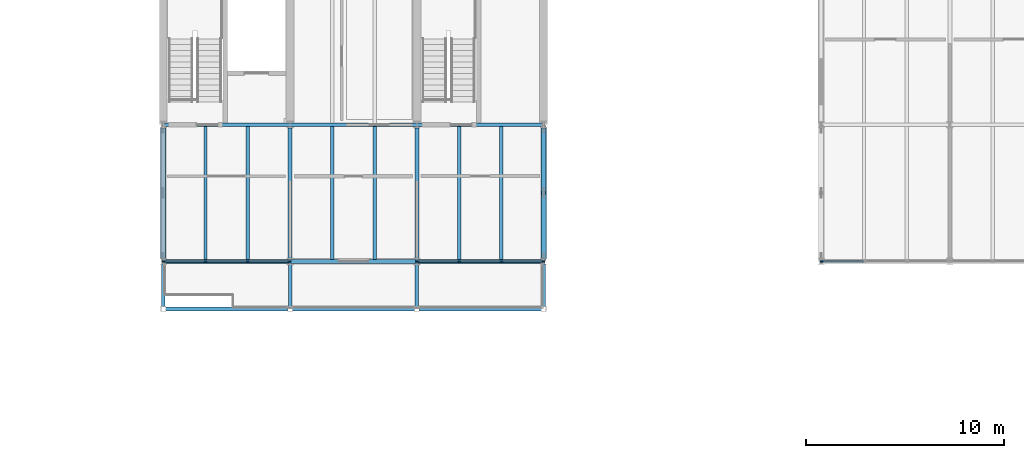
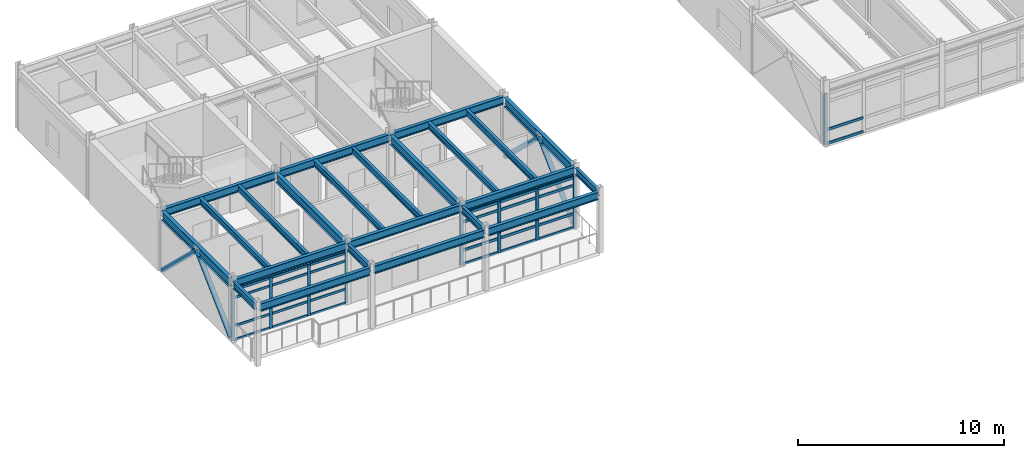
# One storey, part 17 of 49: 39 members, 23 beams, 3 elements without a shape of their own.
"""IFC4 building model written with IfcOpenShell, lengths in metres."""

from ifc_helpers import new_model, si_unit, direction, frame, origin, origin_2d, place, context, subcontext, project, spatial, rectangle, hollow_circle, i_section, extrude, material, layer, layer_set, material_profile, profile_set, type_object, element, aggregate, save


model = new_model("IFC4")

# Units and contexts
model_context = context("Model", 3, precision=1e-05, world=origin(), true_north=direction((0.0, 1.0)))
body_context = subcontext(model_context, "Body", "Model", "MODEL_VIEW")
ifc_project = project(units=[si_unit("LENGTHUNIT", "METRE"), si_unit("AREAUNIT", "SQUARE_METRE"), si_unit("VOLUMEUNIT", "CUBIC_METRE"), si_unit("PLANEANGLEUNIT", "RADIAN"), si_unit("MASSUNIT", "GRAM", prefix="KILO")], contexts=[model_context])

# Site, building, storey
site_placement = place(None, origin())
site = spatial("IfcSite", under=ifc_project, at=site_placement, CompositionType="ELEMENT")
building_placement = place(site_placement, origin())
building = spatial("IfcBuilding", under=site, at=building_placement, Name="Trelmorton Wharf Fire Station", CompositionType="ELEMENT")
storey_placement = place(building_placement, frame((0.0, 0.0, 9.60009765625)))
storey = spatial("IfcBuildingStorey", under=building, at=storey_placement, Name="L02", CompositionType="ELEMENT", Elevation=9.60009765625)

# Beams
ifc_material_1 = material(Name="Steel Grade 350", Category="steel")
ifc_material_profile_1 = material_profile(ifc_material_1, i_section(OverallWidth=0.177978515625, OverallDepth=0.406005859375, WebThickness=0.0078125, FlangeThickness=0.0126953125, FilletRadius=0.011474609375, at=origin_2d()), Name="410UB59.7")
ifc_profile_set_1 = profile_set([ifc_material_profile_1], Name="Steel Grade 350")
beam_type_1 = type_object("IfcBeamType", Name="BM_410UB60", PredefinedType="BEAM", material=ifc_profile_set_1)
beam_1_placement = place(storey_placement, frame((70.800048828125, 58.02099609375, 3.427001953125), z_axis=(0.0, 1.0, 0.0), x_axis=(-1.0, 0.0, 0.0)))
element("IfcBeam", 1, at=beam_1_placement, inside=storey, type_object=beam_type_1, Name="BM-L02-0793", PredefinedType="BEAM", context=body_context, shape_type="SweptSolid", body=[
    extrude(i_section(OverallWidth=0.177978515625, OverallDepth=0.406005859375, WebThickness=0.0078125, FlangeThickness=0.0126953125, FilletRadius=0.011474609375, at=origin_2d()), origin(), (0.0, 0.0, 1.0), 2.12548828125),
])
for number, where, z_axis, x_axis, name in (
    (2, (77.199951171875, 58.02099609375, 3.427001953125), (0.0, 1.0, 0.0), (-1.0, 0.0, 0.0), "BM-L02-0798"),
    (3, (83.60009765625, 58.02099609375, 3.427001953125), (0.0, 1.0, 0.0), (-1.0, 0.0, 0.0), "BM-L02-0805"),
):
    element("IfcBeam", number, at=place(storey_placement, frame(where, z_axis=z_axis, x_axis=x_axis)), inside=storey, type_object=beam_type_1, Name=name, PredefinedType="BEAM", context=body_context, shape_type="SweptSolid", body=[
        extrude(i_section(OverallWidth=0.177978515625, OverallDepth=0.406005859375, WebThickness=0.0078125, FlangeThickness=0.0126953125, FilletRadius=0.011474609375, at=origin_2d()), origin(), (0.0, 0.0, 1.0), 2.12255859375),
    ])
beam_2_placement = place(storey_placement, frame((90.0, 58.02099609375, 3.427001953125), z_axis=(0.0, 1.0, 0.0), x_axis=(-1.0, 0.0, 0.0)))
element("IfcBeam", 4, at=beam_2_placement, inside=storey, type_object=beam_type_1, Name="BM-L02-0809", PredefinedType="BEAM", context=body_context, shape_type="SweptSolid", body=[
    extrude(i_section(OverallWidth=0.177978515625, OverallDepth=0.406005859375, WebThickness=0.0078125, FlangeThickness=0.0126953125, FilletRadius=0.011474609375, at=origin_2d()), origin(), (0.0, 0.0, 1.0), 2.12548828125),
])
ifc_material_profile_2 = material_profile(ifc_material_1, i_section(OverallWidth=0.19091796875, OverallDepth=0.4599609375, WebThickness=0.010009765625, FlangeThickness=0.01611328125, FilletRadius=0.011474609375, at=origin_2d()), Name="460UB82.1")
ifc_profile_set_2 = profile_set([ifc_material_profile_2], Name="Steel Grade 350")
beam_type_2 = type_object("IfcBeamType", Name="BM_460UB82", PredefinedType="BEAM", material=ifc_profile_set_2)
beam_3_placement = place(storey_placement, frame((70.804931640625, 67.199951171875, 3.39990234375), z_axis=(1.0, 0.0, 0.0), x_axis=(0.0, 1.0, 0.0)))
element("IfcBeam", 5, at=beam_3_placement, inside=storey, type_object=beam_type_2, Name="BM-L02-0746", PredefinedType="BEAM", context=body_context, shape_type="SweptSolid", body=[
    extrude(i_section(OverallWidth=0.19091796875, OverallDepth=0.4599609375, WebThickness=0.010009765625, FlangeThickness=0.01611328125, FilletRadius=0.011474609375, at=origin_2d()), origin(), (0.0, 0.0, 1.0), 6.39013671875),
])
beam_4_placement = place(storey_placement, frame((77.204833984375, 67.199951171875, 3.39990234375), z_axis=(1.0, 0.0, 0.0), x_axis=(0.0, 1.0, 0.0)))
element("IfcBeam", 6, at=beam_4_placement, inside=storey, type_object=beam_type_2, Name="BM-L02-0747", PredefinedType="BEAM", context=body_context, shape_type="SweptSolid", body=[
    extrude(i_section(OverallWidth=0.19091796875, OverallDepth=0.4599609375, WebThickness=0.010009765625, FlangeThickness=0.01611328125, FilletRadius=0.011474609375, at=origin_2d()), origin(), (0.0, 0.0, 1.0), 6.390380859375),
])
beam_5_placement = place(storey_placement, frame((83.60498046875, 67.199951171875, 3.39990234375), z_axis=(1.0, 0.0, 0.0), x_axis=(0.0, 1.0, 0.0)))
element("IfcBeam", 7, at=beam_5_placement, inside=storey, type_object=beam_type_2, Name="BM-L02-0748", PredefinedType="BEAM", context=body_context, shape_type="SweptSolid", body=[
    extrude(i_section(OverallWidth=0.19091796875, OverallDepth=0.4599609375, WebThickness=0.010009765625, FlangeThickness=0.01611328125, FilletRadius=0.011474609375, at=origin_2d()), origin(), (0.0, 0.0, 1.0), 6.39013671875),
])
ifc_material_profile_3 = material_profile(ifc_material_1, i_section(OverallWidth=0.208984375, OverallDepth=0.532958984375, WebThickness=0.01025390625, FlangeThickness=0.015625, FilletRadius=0.013916015625, at=origin_2d()), Name="530UB92.4")
ifc_profile_set_3 = profile_set([ifc_material_profile_3], Name="Steel Grade 350")
beam_type_3 = type_object("IfcBeamType", Name="BM_530UB92", PredefinedType="BEAM", material=ifc_profile_set_3)
beam_6_placement = place(storey_placement, frame((70.800048828125, 60.45361328125, 3.36328125), z_axis=(0.0, 1.0, 0.0), x_axis=(-1.0, 0.0, 0.0)))
element("IfcBeam", 8, at=beam_6_placement, inside=storey, type_object=beam_type_3, Name="BM-L02-0794", PredefinedType="BEAM", context=body_context, shape_type="SweptSolid", body=[
    extrude(i_section(OverallWidth=0.208984375, OverallDepth=0.532958984375, WebThickness=0.01025390625, FlangeThickness=0.015625, FilletRadius=0.013916015625, at=origin_2d()), origin(), (0.0, 0.0, 1.0), 6.58984375),
])
for number, where, z_axis, x_axis, name in (
    (9, (77.199951171875, 60.45654296875, 3.36328125), (0.0, 1.0, 0.0), (-1.0, 0.0, 0.0), "BM-L02-0799"),
    (10, (83.60009765625, 60.45654296875, 3.36328125), (0.0, 1.0, 0.0), (-1.0, 0.0, 0.0), "BM-L02-0806"),
):
    element("IfcBeam", number, at=place(storey_placement, frame(where, z_axis=z_axis, x_axis=x_axis)), inside=storey, type_object=beam_type_3, Name=name, PredefinedType="BEAM", context=body_context, shape_type="SweptSolid", body=[
        extrude(i_section(OverallWidth=0.208984375, OverallDepth=0.532958984375, WebThickness=0.01025390625, FlangeThickness=0.015625, FilletRadius=0.013916015625, at=origin_2d()), origin(), (0.0, 0.0, 1.0), 6.5869140625),
    ])
beam_7_placement = place(storey_placement, frame((90.0, 60.45361328125, 3.36328125), z_axis=(0.0, 1.0, 0.0), x_axis=(-1.0, 0.0, 0.0)))
element("IfcBeam", 11, at=beam_7_placement, inside=storey, type_object=beam_type_3, Name="BM-L02-0810", PredefinedType="BEAM", context=body_context, shape_type="SweptSolid", body=[
    extrude(i_section(OverallWidth=0.208984375, OverallDepth=0.532958984375, WebThickness=0.01025390625, FlangeThickness=0.015625, FilletRadius=0.013916015625, at=origin_2d()), origin(), (0.0, 0.0, 1.0), 6.58984375),
])
ifc_material_2 = material(Name="Signal-red architectural steel Grade 350", Category="steel")
ifc_material_profile_4 = material_profile(ifc_material_2, i_section(OverallWidth=0.19091796875, OverallDepth=0.4599609375, WebThickness=0.010009765625, FlangeThickness=0.01611328125, FilletRadius=0.011474609375, at=origin_2d()), Name="460UB82.1")
ifc_profile_set_4 = profile_set([ifc_material_profile_4], Name="Signal-red architectural steel Grade 350")
beam_type_4 = type_object("IfcBeamType", Name="BM_RED_460UB82", PredefinedType="BEAM", material=ifc_profile_set_4)
beam_8_placement = place(storey_placement, frame((70.9208984375, 57.89990234375, 3.39990234375), z_axis=(1.0, 0.0, 0.0), x_axis=(0.0, 1.0, 0.0)))
element("IfcBeam", 12, at=beam_8_placement, inside=storey, type_object=beam_type_4, Name="BM-L02-0730", PredefinedType="BEAM", context=body_context, shape_type="SweptSolid", body=[
    extrude(i_section(OverallWidth=0.19091796875, OverallDepth=0.4599609375, WebThickness=0.010009765625, FlangeThickness=0.01611328125, FilletRadius=0.011474609375, at=origin_2d()), origin(), (0.0, 0.0, 1.0), 6.158203125),
])
for number, where, z_axis, x_axis, name in (
    (13, (77.321044921875, 57.89990234375, 3.39990234375), (1.0, 0.0, 0.0), (0.0, 1.0, 0.0), "BM-L02-0731"),
    (14, (83.720947265625, 57.89990234375, 3.39990234375), (1.0, 0.0, 0.0), (0.0, 1.0, 0.0), "BM-L02-0732"),
):
    element("IfcBeam", number, at=place(storey_placement, frame(where, z_axis=z_axis, x_axis=x_axis)), inside=storey, type_object=beam_type_4, Name=name, PredefinedType="BEAM", context=body_context, shape_type="SweptSolid", body=[
        extrude(i_section(OverallWidth=0.19091796875, OverallDepth=0.4599609375, WebThickness=0.010009765625, FlangeThickness=0.01611328125, FilletRadius=0.011474609375, at=origin_2d()), origin(), (0.0, 0.0, 1.0), 6.157958984375),
    ])

# Members
ifc_material_3 = material(Name="Steel C350L0 (350 MPa)", Category="steel")
ifc_material_profile_5 = material_profile(ifc_material_3, hollow_circle(Radius=0.136474609375, WallThickness=0.00927734375, at=origin_2d()), Name="273.1x9.3CHS")
ifc_profile_set_5 = profile_set([ifc_material_profile_5], Name="Steel C350L0 (350 MPa)")
member_type_1 = type_object("IfcMemberType", Name="BR_273CHS", PredefinedType="BRACE", material=ifc_profile_set_5)
member_1_placement = place(storey_placement, frame((70.800048828125, 60.45458984375, 0.119873046875), z_axis=(0.0, 0.721790056105, 0.692112068171), x_axis=(-1.0, 0.0, 0.0)))
element("IfcMember", 15, at=member_1_placement, inside=storey, type_object=member_type_1, Name="CBF-V2-W-L02-A", PredefinedType="BRACE", context=body_context, shape_type="SweptSolid", body=[
    extrude(hollow_circle(Radius=0.136474609375, WallThickness=0.00927734375, at=origin_2d()), origin(), (0.0, 0.0, 1.0), 4.565673828125),
])
member_2_placement = place(storey_placement, frame((70.800048828125, 67.04248046875, 0.119873046875), z_axis=(0.0, -0.721482462485, 0.692432708879), x_axis=(1.0, 0.0, 0.0)))
element("IfcMember", 16, at=member_2_placement, inside=storey, type_object=member_type_1, Name="CBF-V2-W-L02-B", PredefinedType="BRACE", context=body_context, shape_type="SweptSolid", body=[
    extrude(hollow_circle(Radius=0.136474609375, WallThickness=0.00927734375, at=origin_2d()), origin(), (0.0, 0.0, 1.0), 4.5634765625),
])
member_3_placement = place(storey_placement, frame((90.0, 60.45458984375, 0.119873046875), z_axis=(0.0, 0.721790056105, 0.692112068171), x_axis=(-1.0, 0.0, 0.0)))
element("IfcMember", 17, at=member_3_placement, inside=storey, type_object=member_type_1, Name="CBF-V2-E-L02-A", PredefinedType="BRACE", context=body_context, shape_type="SweptSolid", body=[
    extrude(hollow_circle(Radius=0.136474609375, WallThickness=0.00927734375, at=origin_2d()), origin(), (0.0, 0.0, 1.0), 4.565673828125),
])
member_4_placement = place(storey_placement, frame((90.0, 67.04248046875, 0.119873046875), z_axis=(0.0, -0.721482462485, 0.692432708879), x_axis=(1.0, 0.0, 0.0)))
element("IfcMember", 18, at=member_4_placement, inside=storey, type_object=member_type_1, Name="CBF-V2-E-L02-B", PredefinedType="BRACE", context=body_context, shape_type="SweptSolid", body=[
    extrude(hollow_circle(Radius=0.136474609375, WallThickness=0.00927734375, at=origin_2d()), origin(), (0.0, 0.0, 1.0), 4.5634765625),
])

# Curtain wall, members
ifc_material_4 = material(Name="Anodised aluminium AW-6063", Category="aluminium")
ifc_layer_1 = layer(ifc_material_4, 0.159912109375)
ifc_layer_set_1 = layer_set([ifc_layer_1], Name="Anodised aluminium AW-6063")
curtain_wall_type_1 = type_object("IfcCurtainWallType", Name="CW_CHIC_A", PredefinedType="USERDEFINED", material=ifc_layer_set_1)
curtain_wall_1_placement = place(storey_placement, origin())
curtain_wall_1 = element("IfcCurtainWall", 19, at=curtain_wall_1_placement, inside=storey, type_object=curtain_wall_type_1, Name="CW-V2-L02-101", ObjectType="CHICAGO BAY CURTAIN WALL", PredefinedType="USERDEFINED")
ifc_material_profile_6 = material_profile(ifc_material_4, rectangle(XDim=0.06494140625, YDim=0.159912109375, at=origin_2d()), Name="ALU-65x160")
ifc_profile_set_6 = profile_set([ifc_material_profile_6], Name="Anodised aluminium AW-6063")
member_type_2 = type_object("IfcMemberType", Name="CWM_65x160", PredefinedType="MULLION", material=ifc_profile_set_6)
member_5_placement = place(storey_placement, frame((77.1650390625, 60.300048828125, 0.0), z_axis=(0.0, 0.0, 1.0), x_axis=(0.0, -1.0, 0.0)))
member_5 = element("IfcMember", 20, at=member_5_placement, type_object=member_type_2, Name="CW1 mullion 1", PredefinedType="MULLION", context=body_context, shape_type="SweptSolid", body=[
    extrude(rectangle(XDim=0.06494140625, YDim=0.159912109375, at=origin_2d()), origin(), (0.0, 0.0, 1.0), 3.02001953125),
])
member_6_placement = place(storey_placement, frame((75.06494140625, 60.300048828125, 0.0), z_axis=(0.0, 0.0, 1.0), x_axis=(0.0, -1.0, 0.0)))
member_6 = element("IfcMember", 21, at=member_6_placement, type_object=member_type_2, Name="CW1 mullion 2", PredefinedType="MULLION", context=body_context, shape_type="SweptSolid", body=[
    extrude(rectangle(XDim=0.06494140625, YDim=0.159912109375, at=origin_2d()), origin(), (0.0, 0.0, 1.0), 3.02001953125),
])
member_7_placement = place(storey_placement, frame((72.93505859375, 60.300048828125, 0.0), z_axis=(0.0, 0.0, 1.0), x_axis=(0.0, -1.0, 0.0)))
member_7 = element("IfcMember", 22, at=member_7_placement, type_object=member_type_2, Name="CW1 mullion 3", PredefinedType="MULLION", context=body_context, shape_type="SweptSolid", body=[
    extrude(rectangle(XDim=0.06494140625, YDim=0.159912109375, at=origin_2d()), origin(), (0.0, 0.0, 1.0), 3.02001953125),
])
member_8_placement = place(storey_placement, frame((70.8349609375, 60.300048828125, 0.0), z_axis=(0.0, 0.0, 1.0), x_axis=(0.0, -1.0, 0.0)))
member_8 = element("IfcMember", 23, at=member_8_placement, type_object=member_type_2, Name="CW1 mullion 4", PredefinedType="MULLION", context=body_context, shape_type="SweptSolid", body=[
    extrude(rectangle(XDim=0.06494140625, YDim=0.159912109375, at=origin_2d()), origin(), (0.0, 0.0, 1.0), 3.02001953125),
])

curtain_wall_2_placement = place(storey_placement, origin())
curtain_wall_2 = element("IfcCurtainWall", 24, at=curtain_wall_2_placement, inside=storey, type_object=curtain_wall_type_1, Name="CW-V2-L02-102", ObjectType="CHICAGO BAY CURTAIN WALL", PredefinedType="USERDEFINED")
ifc_material_profile_7 = material_profile(ifc_material_4, rectangle(XDim=0.074951171875, YDim=0.175048828125, at=origin_2d()), Name="ALU-75x175")
ifc_profile_set_7 = profile_set([ifc_material_profile_7], Name="Anodised aluminium AW-6063")
member_type_3 = type_object("IfcMemberType", Name="CWM_75x175", PredefinedType="MULLION", material=ifc_profile_set_7)
member_9_placement = place(storey_placement, frame((89.965087890625, 60.300048828125, 0.0), z_axis=(0.0, 0.0, 1.0), x_axis=(0.0, -1.0, 0.0)))
member_9 = element("IfcMember", 25, at=member_9_placement, type_object=member_type_3, Name="CW1 mullion 1", PredefinedType="MULLION", context=body_context, shape_type="SweptSolid", body=[
    extrude(rectangle(XDim=0.074951171875, YDim=0.175048828125, at=origin_2d()), origin(), (0.0, 0.0, 1.0), 3.02001953125),
])
member_10_placement = place(storey_placement, frame((87.864990234375, 60.300048828125, 0.0), z_axis=(0.0, 0.0, 1.0), x_axis=(0.0, -1.0, 0.0)))
member_10 = element("IfcMember", 26, at=member_10_placement, type_object=member_type_3, Name="CW1 mullion 2", PredefinedType="MULLION", context=body_context, shape_type="SweptSolid", body=[
    extrude(rectangle(XDim=0.074951171875, YDim=0.175048828125, at=origin_2d()), origin(), (0.0, 0.0, 1.0), 3.02001953125),
])
member_11_placement = place(storey_placement, frame((85.735107421875, 60.300048828125, 0.0), z_axis=(0.0, 0.0, 1.0), x_axis=(0.0, -1.0, 0.0)))
member_11 = element("IfcMember", 27, at=member_11_placement, type_object=member_type_3, Name="CW1 mullion 3", PredefinedType="MULLION", context=body_context, shape_type="SweptSolid", body=[
    extrude(rectangle(XDim=0.074951171875, YDim=0.175048828125, at=origin_2d()), origin(), (0.0, 0.0, 1.0), 3.02001953125),
])
member_12_placement = place(storey_placement, frame((83.635009765625, 60.300048828125, 0.0), z_axis=(0.0, 0.0, 1.0), x_axis=(0.0, -1.0, 0.0)))
member_12 = element("IfcMember", 28, at=member_12_placement, type_object=member_type_3, Name="CW1 mullion 4", PredefinedType="MULLION", context=body_context, shape_type="SweptSolid", body=[
    extrude(rectangle(XDim=0.074951171875, YDim=0.175048828125, at=origin_2d()), origin(), (0.0, 0.0, 1.0), 3.02001953125),
])

# Curtain wall, member
ifc_layer_2 = layer(ifc_material_4, 0.175048828125)
ifc_layer_set_2 = layer_set([ifc_layer_2], Name="Anodised aluminium AW-6063")
curtain_wall_type_2 = type_object("IfcCurtainWallType", Name="CW_CHIC_B", PredefinedType="USERDEFINED", material=ifc_layer_set_2)
curtain_wall_3_placement = place(storey_placement, origin())
curtain_wall_3 = element("IfcCurtainWall", 29, at=curtain_wall_3_placement, inside=storey, type_object=curtain_wall_type_2, Name="CW-V4-L02-130", ObjectType="CHICAGO BAY CURTAIN WALL", PredefinedType="USERDEFINED")
member_13_placement = place(storey_placement, frame((104.034912109375, 60.300048828125, 0.0), z_axis=(0.0, 0.0, 1.0), x_axis=(0.0, -1.0, 0.0)))
member_13 = element("IfcMember", 30, at=member_13_placement, type_object=member_type_3, Name="CW2 mullion 4", PredefinedType="MULLION", context=body_context, shape_type="SweptSolid", body=[
    extrude(rectangle(XDim=0.074951171875, YDim=0.175048828125, at=origin_2d()), origin(), (0.0, 0.0, 1.0), 3.02001953125),
])

# Member
ifc_material_profile_8 = material_profile(ifc_material_4, rectangle(XDim=0.06494140625, YDim=0.139892578125, at=origin_2d()), Name="ALU-65x140")
ifc_profile_set_8 = profile_set([ifc_material_profile_8], Name="Anodised aluminium AW-6063")
member_type_4 = type_object("IfcMemberType", Name="CWT_65x140", PredefinedType="USERDEFINED", material=ifc_profile_set_8)
member_14_placement = place(storey_placement, frame((77.135009765625, 60.300048828125, 0.02978515625), z_axis=(-1.0, 0.0, 0.0), x_axis=(0.0, -1.0, 0.0)))
member_14 = element("IfcMember", 31, at=member_14_placement, type_object=member_type_4, Name="CW1 transom 1.1", ObjectType="TRANSOM", PredefinedType="USERDEFINED", context=body_context, shape_type="SweptSolid", body=[
    extrude(rectangle(XDim=0.06494140625, YDim=0.139892578125, at=origin_2d()), origin(), (0.0, 0.0, 1.0), 2.0400390625),
])

member_15_placement = place(storey_placement, frame((77.135009765625, 60.300048828125, 0.849853515625), z_axis=(-1.0, 0.0, 0.0), x_axis=(0.0, -1.0, 0.0)))
member_15 = element("IfcMember", 32, at=member_15_placement, type_object=member_type_4, Name="CW1 transom 1.2", ObjectType="TRANSOM", PredefinedType="USERDEFINED", context=body_context, shape_type="SweptSolid", body=[
    extrude(rectangle(XDim=0.06494140625, YDim=0.139892578125, at=origin_2d()), origin(), (0.0, 0.0, 1.0), 2.0400390625),
])

member_16_placement = place(storey_placement, frame((77.135009765625, 60.300048828125, 2.52001953125), z_axis=(-1.0, 0.0, 0.0), x_axis=(0.0, -1.0, 0.0)))
member_16 = element("IfcMember", 33, at=member_16_placement, type_object=member_type_4, Name="CW1 transom 1.3", ObjectType="TRANSOM", PredefinedType="USERDEFINED", context=body_context, shape_type="SweptSolid", body=[
    extrude(rectangle(XDim=0.06494140625, YDim=0.139892578125, at=origin_2d()), origin(), (0.0, 0.0, 1.0), 2.0400390625),
])

member_17_placement = place(storey_placement, frame((77.135009765625, 60.300048828125, 2.989990234375), z_axis=(-1.0, 0.0, 0.0), x_axis=(0.0, -1.0, 0.0)))
member_17 = element("IfcMember", 34, at=member_17_placement, type_object=member_type_4, Name="CW1 transom 1.4", ObjectType="TRANSOM", PredefinedType="USERDEFINED", context=body_context, shape_type="SweptSolid", body=[
    extrude(rectangle(XDim=0.06494140625, YDim=0.139892578125, at=origin_2d()), origin(), (0.0, 0.0, 1.0), 2.0400390625),
])

member_18_placement = place(storey_placement, frame((75.034912109375, 60.300048828125, 0.02978515625), z_axis=(-1.0, 0.0, 0.0), x_axis=(0.0, -1.0, 0.0)))
member_18 = element("IfcMember", 35, at=member_18_placement, type_object=member_type_4, Name="CW1 transom 2.1", ObjectType="TRANSOM", PredefinedType="USERDEFINED", context=body_context, shape_type="SweptSolid", body=[
    extrude(rectangle(XDim=0.06494140625, YDim=0.139892578125, at=origin_2d()), origin(), (0.0, 0.0, 1.0), 2.06982421875),
])

member_19_placement = place(storey_placement, frame((75.034912109375, 60.300048828125, 0.849853515625), z_axis=(-1.0, 0.0, 0.0), x_axis=(0.0, -1.0, 0.0)))
member_19 = element("IfcMember", 36, at=member_19_placement, type_object=member_type_4, Name="CW1 transom 2.2", ObjectType="TRANSOM", PredefinedType="USERDEFINED", context=body_context, shape_type="SweptSolid", body=[
    extrude(rectangle(XDim=0.06494140625, YDim=0.139892578125, at=origin_2d()), origin(), (0.0, 0.0, 1.0), 2.06982421875),
])

member_20_placement = place(storey_placement, frame((75.034912109375, 60.300048828125, 2.52001953125), z_axis=(-1.0, 0.0, 0.0), x_axis=(0.0, -1.0, 0.0)))
member_20 = element("IfcMember", 37, at=member_20_placement, type_object=member_type_4, Name="CW1 transom 2.3", ObjectType="TRANSOM", PredefinedType="USERDEFINED", context=body_context, shape_type="SweptSolid", body=[
    extrude(rectangle(XDim=0.06494140625, YDim=0.139892578125, at=origin_2d()), origin(), (0.0, 0.0, 1.0), 2.06982421875),
])

member_21_placement = place(storey_placement, frame((75.034912109375, 60.300048828125, 2.989990234375), z_axis=(-1.0, 0.0, 0.0), x_axis=(0.0, -1.0, 0.0)))
member_21 = element("IfcMember", 38, at=member_21_placement, type_object=member_type_4, Name="CW1 transom 2.4", ObjectType="TRANSOM", PredefinedType="USERDEFINED", context=body_context, shape_type="SweptSolid", body=[
    extrude(rectangle(XDim=0.06494140625, YDim=0.139892578125, at=origin_2d()), origin(), (0.0, 0.0, 1.0), 2.06982421875),
])

member_22_placement = place(storey_placement, frame((72.905029296875, 60.300048828125, 0.02978515625), z_axis=(-1.0, 0.0, 0.0), x_axis=(0.0, -1.0, 0.0)))
member_22 = element("IfcMember", 39, at=member_22_placement, type_object=member_type_4, Name="CW1 transom 3.1", ObjectType="TRANSOM", PredefinedType="USERDEFINED", context=body_context, shape_type="SweptSolid", body=[
    extrude(rectangle(XDim=0.06494140625, YDim=0.139892578125, at=origin_2d()), origin(), (0.0, 0.0, 1.0), 2.0400390625),
])

member_23_placement = place(storey_placement, frame((72.905029296875, 60.300048828125, 0.849853515625), z_axis=(-1.0, 0.0, 0.0), x_axis=(0.0, -1.0, 0.0)))
member_23 = element("IfcMember", 40, at=member_23_placement, type_object=member_type_4, Name="CW1 transom 3.2", ObjectType="TRANSOM", PredefinedType="USERDEFINED", context=body_context, shape_type="SweptSolid", body=[
    extrude(rectangle(XDim=0.06494140625, YDim=0.139892578125, at=origin_2d()), origin(), (0.0, 0.0, 1.0), 2.0400390625),
])

member_24_placement = place(storey_placement, frame((72.905029296875, 60.300048828125, 2.52001953125), z_axis=(-1.0, 0.0, 0.0), x_axis=(0.0, -1.0, 0.0)))
member_24 = element("IfcMember", 41, at=member_24_placement, type_object=member_type_4, Name="CW1 transom 3.3", ObjectType="TRANSOM", PredefinedType="USERDEFINED", context=body_context, shape_type="SweptSolid", body=[
    extrude(rectangle(XDim=0.06494140625, YDim=0.139892578125, at=origin_2d()), origin(), (0.0, 0.0, 1.0), 2.0400390625),
])

member_25_placement = place(storey_placement, frame((72.905029296875, 60.300048828125, 2.989990234375), z_axis=(-1.0, 0.0, 0.0), x_axis=(0.0, -1.0, 0.0)))
member_25 = element("IfcMember", 42, at=member_25_placement, type_object=member_type_4, Name="CW1 transom 3.4", ObjectType="TRANSOM", PredefinedType="USERDEFINED", context=body_context, shape_type="SweptSolid", body=[
    extrude(rectangle(XDim=0.06494140625, YDim=0.139892578125, at=origin_2d()), origin(), (0.0, 0.0, 1.0), 2.0400390625),
])

aggregate(curtain_wall_1, [member_5, member_6, member_7, member_8, member_14, member_15, member_16, member_17, member_18, member_19, member_20, member_21, member_22, member_23, member_24, member_25])

ifc_material_profile_9 = material_profile(ifc_material_4, rectangle(XDim=0.074951171875, YDim=0.155029296875, at=origin_2d()), Name="ALU-75x155")
ifc_profile_set_9 = profile_set([ifc_material_profile_9], Name="Anodised aluminium AW-6063")
member_type_5 = type_object("IfcMemberType", Name="CWT_75x155", PredefinedType="USERDEFINED", material=ifc_profile_set_9)
member_26_placement = place(storey_placement, frame((89.93505859375, 60.300048828125, 0.02978515625), z_axis=(-1.0, 0.0, 0.0), x_axis=(0.0, -1.0, 0.0)))
member_26 = element("IfcMember", 43, at=member_26_placement, type_object=member_type_5, Name="CW1 transom 1.1", ObjectType="TRANSOM", PredefinedType="USERDEFINED", context=body_context, shape_type="SweptSolid", body=[
    extrude(rectangle(XDim=0.074951171875, YDim=0.155029296875, at=origin_2d()), origin(), (0.0, 0.0, 1.0), 2.0400390625),
])

member_27_placement = place(storey_placement, frame((89.93505859375, 60.300048828125, 0.849853515625), z_axis=(-1.0, 0.0, 0.0), x_axis=(0.0, -1.0, 0.0)))
member_27 = element("IfcMember", 44, at=member_27_placement, type_object=member_type_5, Name="CW1 transom 1.2", ObjectType="TRANSOM", PredefinedType="USERDEFINED", context=body_context, shape_type="SweptSolid", body=[
    extrude(rectangle(XDim=0.074951171875, YDim=0.155029296875, at=origin_2d()), origin(), (0.0, 0.0, 1.0), 2.0400390625),
])

member_28_placement = place(storey_placement, frame((89.93505859375, 60.300048828125, 2.52001953125), z_axis=(-1.0, 0.0, 0.0), x_axis=(0.0, -1.0, 0.0)))
member_28 = element("IfcMember", 45, at=member_28_placement, type_object=member_type_5, Name="CW1 transom 1.3", ObjectType="TRANSOM", PredefinedType="USERDEFINED", context=body_context, shape_type="SweptSolid", body=[
    extrude(rectangle(XDim=0.074951171875, YDim=0.155029296875, at=origin_2d()), origin(), (0.0, 0.0, 1.0), 2.0400390625),
])

member_29_placement = place(storey_placement, frame((89.93505859375, 60.300048828125, 2.989990234375), z_axis=(-1.0, 0.0, 0.0), x_axis=(0.0, -1.0, 0.0)))
member_29 = element("IfcMember", 46, at=member_29_placement, type_object=member_type_5, Name="CW1 transom 1.4", ObjectType="TRANSOM", PredefinedType="USERDEFINED", context=body_context, shape_type="SweptSolid", body=[
    extrude(rectangle(XDim=0.074951171875, YDim=0.155029296875, at=origin_2d()), origin(), (0.0, 0.0, 1.0), 2.0400390625),
])

member_30_placement = place(storey_placement, frame((87.8349609375, 60.300048828125, 0.02978515625), z_axis=(-1.0, 0.0, 0.0), x_axis=(0.0, -1.0, 0.0)))
member_30 = element("IfcMember", 47, at=member_30_placement, type_object=member_type_5, Name="CW1 transom 2.1", ObjectType="TRANSOM", PredefinedType="USERDEFINED", context=body_context, shape_type="SweptSolid", body=[
    extrude(rectangle(XDim=0.074951171875, YDim=0.155029296875, at=origin_2d()), origin(), (0.0, 0.0, 1.0), 2.070068359375),
])

member_31_placement = place(storey_placement, frame((87.8349609375, 60.300048828125, 0.849853515625), z_axis=(-1.0, 0.0, 0.0), x_axis=(0.0, -1.0, 0.0)))
member_31 = element("IfcMember", 48, at=member_31_placement, type_object=member_type_5, Name="CW1 transom 2.2", ObjectType="TRANSOM", PredefinedType="USERDEFINED", context=body_context, shape_type="SweptSolid", body=[
    extrude(rectangle(XDim=0.074951171875, YDim=0.155029296875, at=origin_2d()), origin(), (0.0, 0.0, 1.0), 2.070068359375),
])

member_32_placement = place(storey_placement, frame((87.8349609375, 60.300048828125, 2.52001953125), z_axis=(-1.0, 0.0, 0.0), x_axis=(0.0, -1.0, 0.0)))
member_32 = element("IfcMember", 49, at=member_32_placement, type_object=member_type_5, Name="CW1 transom 2.3", ObjectType="TRANSOM", PredefinedType="USERDEFINED", context=body_context, shape_type="SweptSolid", body=[
    extrude(rectangle(XDim=0.074951171875, YDim=0.155029296875, at=origin_2d()), origin(), (0.0, 0.0, 1.0), 2.070068359375),
])

member_33_placement = place(storey_placement, frame((87.8349609375, 60.300048828125, 2.989990234375), z_axis=(-1.0, 0.0, 0.0), x_axis=(0.0, -1.0, 0.0)))
member_33 = element("IfcMember", 50, at=member_33_placement, type_object=member_type_5, Name="CW1 transom 2.4", ObjectType="TRANSOM", PredefinedType="USERDEFINED", context=body_context, shape_type="SweptSolid", body=[
    extrude(rectangle(XDim=0.074951171875, YDim=0.155029296875, at=origin_2d()), origin(), (0.0, 0.0, 1.0), 2.070068359375),
])

member_34_placement = place(storey_placement, frame((85.705078125, 60.300048828125, 0.02978515625), z_axis=(-1.0, 0.0, 0.0), x_axis=(0.0, -1.0, 0.0)))
member_34 = element("IfcMember", 51, at=member_34_placement, type_object=member_type_5, Name="CW1 transom 3.1", ObjectType="TRANSOM", PredefinedType="USERDEFINED", context=body_context, shape_type="SweptSolid", body=[
    extrude(rectangle(XDim=0.074951171875, YDim=0.155029296875, at=origin_2d()), origin(), (0.0, 0.0, 1.0), 2.0400390625),
])

member_35_placement = place(storey_placement, frame((85.705078125, 60.300048828125, 0.849853515625), z_axis=(-1.0, 0.0, 0.0), x_axis=(0.0, -1.0, 0.0)))
member_35 = element("IfcMember", 52, at=member_35_placement, type_object=member_type_5, Name="CW1 transom 3.2", ObjectType="TRANSOM", PredefinedType="USERDEFINED", context=body_context, shape_type="SweptSolid", body=[
    extrude(rectangle(XDim=0.074951171875, YDim=0.155029296875, at=origin_2d()), origin(), (0.0, 0.0, 1.0), 2.0400390625),
])

member_36_placement = place(storey_placement, frame((85.705078125, 60.300048828125, 2.52001953125), z_axis=(-1.0, 0.0, 0.0), x_axis=(0.0, -1.0, 0.0)))
member_36 = element("IfcMember", 53, at=member_36_placement, type_object=member_type_5, Name="CW1 transom 3.3", ObjectType="TRANSOM", PredefinedType="USERDEFINED", context=body_context, shape_type="SweptSolid", body=[
    extrude(rectangle(XDim=0.074951171875, YDim=0.155029296875, at=origin_2d()), origin(), (0.0, 0.0, 1.0), 2.0400390625),
])

member_37_placement = place(storey_placement, frame((85.705078125, 60.300048828125, 2.989990234375), z_axis=(-1.0, 0.0, 0.0), x_axis=(0.0, -1.0, 0.0)))
member_37 = element("IfcMember", 54, at=member_37_placement, type_object=member_type_5, Name="CW1 transom 3.4", ObjectType="TRANSOM", PredefinedType="USERDEFINED", context=body_context, shape_type="SweptSolid", body=[
    extrude(rectangle(XDim=0.074951171875, YDim=0.155029296875, at=origin_2d()), origin(), (0.0, 0.0, 1.0), 2.0400390625),
])

aggregate(curtain_wall_2, [member_9, member_10, member_11, member_12, member_26, member_27, member_28, member_29, member_30, member_31, member_32, member_33, member_34, member_35, member_36, member_37])

member_38_placement = place(storey_placement, frame((106.138427734375, 60.300048828125, 0.02978515625), z_axis=(-1.0, 0.0, 0.0), x_axis=(0.0, -1.0, 0.0)))
member_38 = element("IfcMember", 55, at=member_38_placement, type_object=member_type_5, Name="CW2 transom 3.1", ObjectType="TRANSOM", PredefinedType="USERDEFINED", context=body_context, shape_type="SweptSolid", body=[
    extrude(rectangle(XDim=0.074951171875, YDim=0.155029296875, at=origin_2d()), origin(), (0.0, 0.0, 1.0), 2.073486328125),
])

member_39_placement = place(storey_placement, frame((106.138427734375, 60.300048828125, 0.849853515625), z_axis=(-1.0, 0.0, 0.0), x_axis=(0.0, -1.0, 0.0)))
member_39 = element("IfcMember", 56, at=member_39_placement, type_object=member_type_5, Name="CW2 transom 3.2", ObjectType="TRANSOM", PredefinedType="USERDEFINED", context=body_context, shape_type="SweptSolid", body=[
    extrude(rectangle(XDim=0.074951171875, YDim=0.155029296875, at=origin_2d()), origin(), (0.0, 0.0, 1.0), 2.073486328125),
])

aggregate(curtain_wall_3, [member_13, member_38, member_39])

# Beams
ifc_material_profile_10 = material_profile(ifc_material_1, i_section(OverallWidth=0.172119140625, OverallDepth=0.35888671875, WebThickness=0.008056640625, FlangeThickness=0.012939453125, FilletRadius=0.011474609375, at=origin_2d()), Name="360UB56.7")
ifc_profile_set_10 = profile_set([ifc_material_profile_10], Name="Steel Grade 350")
beam_type_5 = type_object("IfcBeamType", Name="JS_360UB57", PredefinedType="JOIST", material=ifc_profile_set_10)
for number, where, z_axis, x_axis, name in (
    (57, (72.933349609375, 60.389892578125, 3.450439453125), (0.0, 1.0, 0.0), (-1.0, 0.0, 0.0), "JS-L02-0229"),
    (58, (75.066650390625, 60.389892578125, 3.450439453125), (0.0, 1.0, 0.0), (-1.0, 0.0, 0.0), "JS-L02-0230"),
    (59, (79.333251953125, 60.389892578125, 3.450439453125), (0.0, 1.0, 0.0), (-1.0, 0.0, 0.0), "JS-L02-0233"),
    (60, (81.466796875, 60.389892578125, 3.450439453125), (0.0, 1.0, 0.0), (-1.0, 0.0, 0.0), "JS-L02-0234"),
    (61, (85.7333984375, 60.389892578125, 3.450439453125), (0.0, 1.0, 0.0), (-1.0, 0.0, 0.0), "JS-L02-0239"),
    (62, (87.86669921875, 60.389892578125, 3.450439453125), (0.0, 1.0, 0.0), (-1.0, 0.0, 0.0), "JS-L02-0240"),
):
    element("IfcBeam", number, at=place(storey_placement, frame(where, z_axis=z_axis, x_axis=x_axis)), inside=storey, type_object=beam_type_5, Name=name, PredefinedType="JOIST", context=body_context, shape_type="SweptSolid", body=[
        extrude(i_section(OverallWidth=0.172119140625, OverallDepth=0.35888671875, WebThickness=0.008056640625, FlangeThickness=0.012939453125, FilletRadius=0.011474609375, at=origin_2d()), origin(), (0.0, 0.0, 1.0), 6.72021484375),
    ])
ifc_material_profile_11 = material_profile(ifc_material_1, i_section(OverallWidth=0.18994140625, OverallDepth=0.45703125, WebThickness=0.009033203125, FlangeThickness=0.014404296875, FilletRadius=0.011474609375, at=origin_2d()), Name="460UB74.6")
ifc_profile_set_11 = profile_set([ifc_material_profile_11], Name="Steel Grade 350")
beam_type_6 = type_object("IfcBeamType", Name="SP_460UB75", PredefinedType="SPANDREL", material=ifc_profile_set_11)
beam_9_placement = place(storey_placement, frame((70.803955078125, 60.300048828125, 3.4013671875), z_axis=(1.0, 0.0, 0.0), x_axis=(0.0, 1.0, 0.0)))
element("IfcBeam", 63, at=beam_9_placement, inside=storey, type_object=beam_type_6, Name="BM-L02-0733", PredefinedType="SPANDREL", context=body_context, shape_type="SweptSolid", body=[
    extrude(i_section(OverallWidth=0.18994140625, OverallDepth=0.45703125, WebThickness=0.009033203125, FlangeThickness=0.014404296875, FilletRadius=0.011474609375, at=origin_2d()), origin(), (0.0, 0.0, 1.0), 6.39111328125),
])
beam_10_placement = place(storey_placement, frame((77.204833984375, 60.300048828125, 3.4013671875), z_axis=(1.0, 0.0, 0.0), x_axis=(0.0, 1.0, 0.0)))
element("IfcBeam", 64, at=beam_10_placement, inside=storey, type_object=beam_type_6, Name="BM-L02-0734", PredefinedType="SPANDREL", context=body_context, shape_type="SweptSolid", body=[
    extrude(i_section(OverallWidth=0.18994140625, OverallDepth=0.45703125, WebThickness=0.009033203125, FlangeThickness=0.014404296875, FilletRadius=0.011474609375, at=origin_2d()), origin(), (0.0, 0.0, 1.0), 6.390380859375),
])
beam_11_placement = place(storey_placement, frame((83.60498046875, 60.300048828125, 3.4013671875), z_axis=(1.0, 0.0, 0.0), x_axis=(0.0, 1.0, 0.0)))
element("IfcBeam", 65, at=beam_11_placement, inside=storey, type_object=beam_type_6, Name="BM-L02-0735", PredefinedType="SPANDREL", context=body_context, shape_type="SweptSolid", body=[
    extrude(i_section(OverallWidth=0.18994140625, OverallDepth=0.45703125, WebThickness=0.009033203125, FlangeThickness=0.014404296875, FilletRadius=0.011474609375, at=origin_2d()), origin(), (0.0, 0.0, 1.0), 6.39111328125),
])

save(model, "model.ifc")
